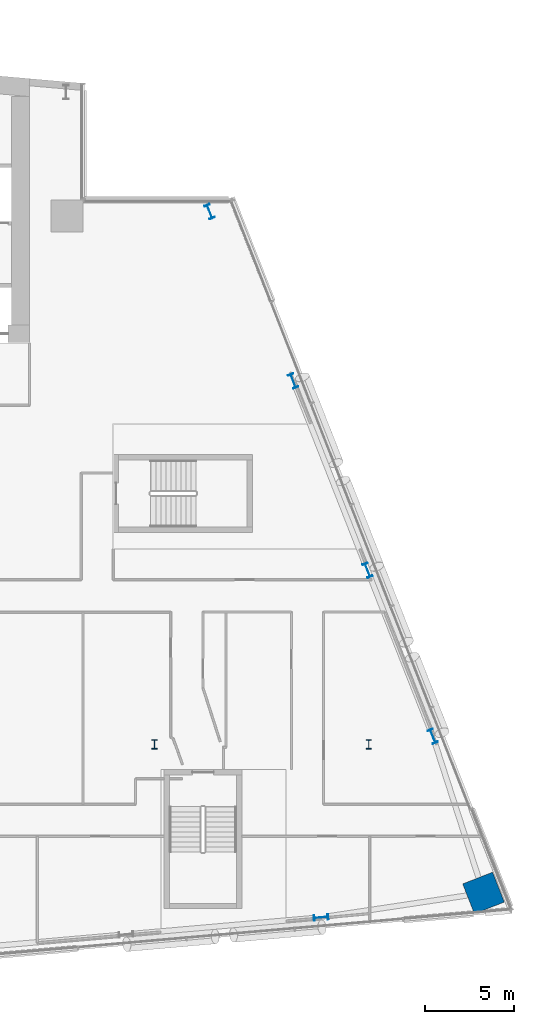
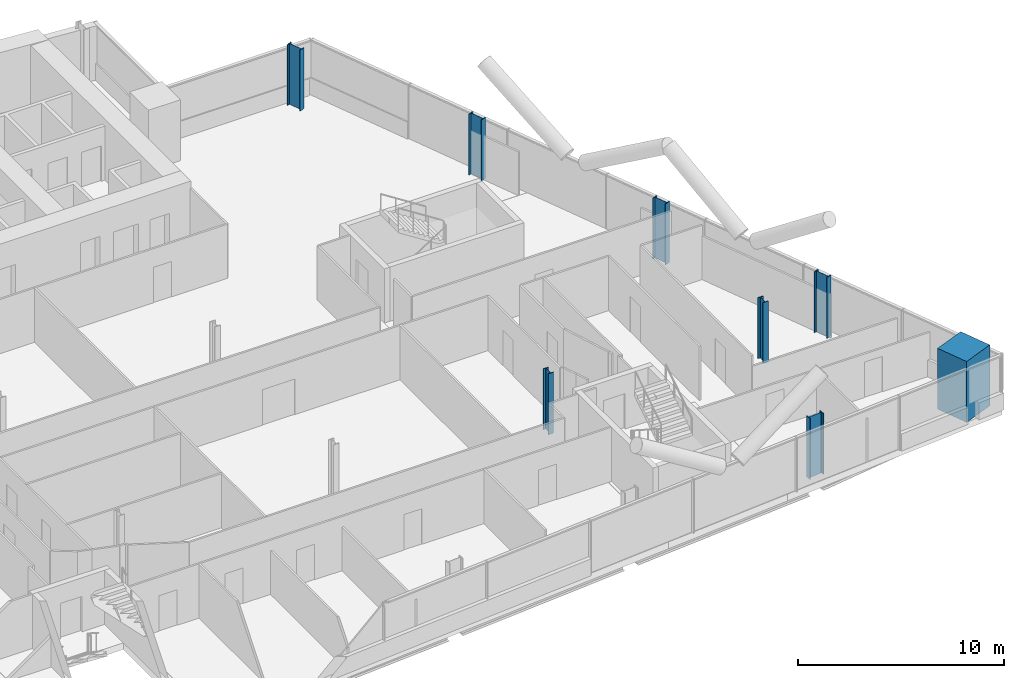
# One storey, part 4 of 28: 8 columns.
"""IFC4 building model written with IfcOpenShell, lengths in metres."""

import ifcopenshell
import ifcopenshell.guid

model = None  # the IFC model being written
_history = None  # IfcOwnerHistory: only IFC2X3 demands one
_inside = {}  # id of a spatial element -> (the spatial element, [elements in it])
_under = {}  # id of a project, library or spatial element -> (it, [spatial elements below it])
_declared = {}  # id of a project -> (the project, [libraries it declares])
_typed = {}  # id of a type object -> (the type object, [elements of that type])
_made_of = {}  # id of a material, layer set ... -> (it, [elements and type objects made of it])


def new_model(schema):
    """Start an empty IFC model of exactly this schema.

    Asked for "IFC4X3", IfcOpenShell would pick the latest addendum, in which some entities
    have other attributes; the version numbers below select the first issue.
    IFC2X3 requires an IfcOwnerHistory on every rooted entity: one is made here for all.
    """
    global model, _history
    if schema == "IFC4X3":
        model = ifcopenshell.file(schema_version=(4, 3, 0, 0))
    else:
        model = ifcopenshell.file(schema=schema)
    _inside.clear()
    _under.clear()
    _declared.clear()
    _typed.clear()
    _made_of.clear()
    _history = None
    if model.schema == "IFC2X3":
        org = make("IfcOrganization", Name="unknown")
        user = make(
            "IfcPersonAndOrganization",
            ThePerson=make("IfcPerson", FamilyName="unknown"),
            TheOrganization=org,
        )
        app = make(
            "IfcApplication",
            ApplicationDeveloper=org,
            Version="unknown",
            ApplicationFullName="unknown",
            ApplicationIdentifier="unknown",
        )
        _history = make(
            "IfcOwnerHistory",
            OwningUser=user,
            OwningApplication=app,
            ChangeAction="ADDED",
            CreationDate=0,
        )
    return model


def make(cls, **values):
    """One entity of the class cls with the attributes given. An attribute that is None is left unset."""
    return model.create_entity(
        cls, **{name: value for name, value in values.items() if value is not None}
    )


def rooted(cls, **values):
    """An entity with a GlobalId (a new one), such as an element, a storey or a relation."""
    return make(cls, GlobalId=ifcopenshell.guid.new(), OwnerHistory=_history, **values)


def si_unit(unit_type, name, prefix=None):
    """IfcSIUnit, for example si_unit("LENGTHUNIT", "METRE", prefix="MILLI")."""
    return make("IfcSIUnit", UnitType=unit_type, Prefix=prefix, Name=name)


def assignment(units):
    """IfcUnitAssignment: the units of a project."""
    return None if units is None else make("IfcUnitAssignment", Units=units)


def point(xyz):
    """IfcCartesianPoint."""
    return None if xyz is None else make("IfcCartesianPoint", Coordinates=xyz)


def direction(xyz):
    """IfcDirection."""
    return None if xyz is None else make("IfcDirection", DirectionRatios=xyz)


def frame(location, z_axis=None, x_axis=None):
    """IfcAxis2Placement3D, a coordinate frame: its origin and axes. An axis left out is left unset."""
    return make(
        "IfcAxis2Placement3D",
        Location=point(location),
        Axis=direction(z_axis),
        RefDirection=direction(x_axis),
    )


def frame_2d(location, x_axis=None):
    """IfcAxis2Placement2D, a coordinate frame in the plane: its origin and x axis."""
    return make(
        "IfcAxis2Placement2D", Location=point(location), RefDirection=direction(x_axis)
    )


def origin():
    """The frame at (0, 0, 0) with its axes left unset."""
    return frame((0.0, 0.0, 0.0))


def origin_2d():
    """The frame at (0, 0) in the plane with its x axis left unset."""
    return frame_2d((0.0, 0.0))


def place(relative_to, where):
    """IfcLocalPlacement: puts the frame where relative to a parent placement (None: the world)."""
    return make(
        "IfcLocalPlacement", PlacementRelTo=relative_to, RelativePlacement=where
    )


def context(
    kind, dimensions, precision=None, world=None, true_north=None, identifier=None
):
    """IfcGeometricRepresentationContext, for example the 3D "Model" context."""
    return make(
        "IfcGeometricRepresentationContext",
        ContextIdentifier=identifier,
        ContextType=kind,
        CoordinateSpaceDimension=dimensions,
        Precision=precision,
        WorldCoordinateSystem=world,
        TrueNorth=true_north,
    )


def subcontext(parent, identifier, kind, view, scale=None):
    """IfcGeometricRepresentationSubContext, for example "Body" below "Model"."""
    return make(
        "IfcGeometricRepresentationSubContext",
        ContextIdentifier=identifier,
        ContextType=kind,
        ParentContext=parent,
        TargetScale=scale,
        TargetView=view,
    )


def project(units=None, contexts=None):
    """IfcProject with its units and contexts."""
    return rooted(
        "IfcProject",
        Name="project",
        RepresentationContexts=contexts,
        UnitsInContext=assignment(units),
    )


def spatial(cls, under=None, at=None, **own):
    """A site, building, storey or space (cls), placed at a placement, below another one or the project."""
    s = rooted(cls, ObjectPlacement=at, **own)
    if under is not None:
        _under.setdefault(under.id(), (under, []))[1].append(s)
    return s


def profile(cls, at=None, kind="AREA", **sizes):
    """A parametric profile (cls). Its sizes go by their IFC names, for example OverallWidth=200.0."""
    return make(cls, ProfileType=kind, Position=at, **sizes)


def rectangle(**sizes):
    """IfcRectangleProfileDef."""
    return profile("IfcRectangleProfileDef", **sizes)


def i_section(**sizes):
    """IfcIShapeProfileDef."""
    return profile("IfcIShapeProfileDef", **sizes)


def extrude(swept, where, along, depth):
    """IfcExtrudedAreaSolid: the profile swept, set in the frame where, extruded along a direction by depth."""
    return make(
        "IfcExtrudedAreaSolid",
        SweptArea=swept,
        Position=where,
        ExtrudedDirection=direction(along),
        Depth=depth,
    )


def shape(context_of_items, identifier, shape_type, items):
    """IfcShapeRepresentation: the items that make up one representation, for example the "Body"."""
    return make(
        "IfcShapeRepresentation",
        ContextOfItems=context_of_items,
        RepresentationIdentifier=identifier,
        RepresentationType=shape_type,
        Items=items,
    )


def material(Name=None, Category=None):
    """IfcMaterial."""
    return make("IfcMaterial", Name=Name, Category=Category)


def material_profile(
    of_material, cross_section, Name=None, Category=None, Priority=None
):
    """IfcMaterialProfile: a cross section and its material."""
    return make(
        "IfcMaterialProfile",
        Name=Name,
        Material=of_material,
        Profile=cross_section,
        Priority=Priority,
        Category=Category,
    )


def profile_set(profiles, Name=None, composite=None):
    """IfcMaterialProfileSet."""
    return make(
        "IfcMaterialProfileSet",
        Name=Name,
        MaterialProfiles=profiles,
        CompositeProfile=composite,
    )


def made_of(thing, what):
    """Note that an element or type object is made of a material, layer set ...; save() writes the relation."""
    if what is not None:
        _made_of.setdefault(what.id(), (what, []))[1].append(thing)
    return thing


def type_object(cls, material=None, **own):
    """A type object (cls), such as IfcWallType, which elements share."""
    return made_of(rooted(cls, **own), material)


def element(
    cls,
    number,
    at=None,
    inside=None,
    cuts=None,
    type_object=None,
    material=None,
    context=None,
    identifier="Body",
    shape_type=None,
    held_by="IfcProductDefinitionShape",
    body=None,
    shapes=None,
    **own,
):
    """One element of the class cls, such as IfcWall. Its Tag is "e" and its number.

    at: its placement. inside: the storey or other place that contains it. cuts: it is an
    opening in that element (IfcRelVoidsElement). A single representation is given by context,
    identifier, shape_type and body (its items); several are given by shapes. held_by: the class
    of the entity that holds the representations. save() writes the other relations.
    """
    e = rooted(cls, Tag="e%d" % number, ObjectPlacement=at, **own)
    if body is not None:
        shapes = [shape(context, identifier, shape_type, body)]
    if shapes is not None:
        e.Representation = make(held_by, Representations=shapes)
    if inside is not None:
        _inside.setdefault(inside.id(), (inside, []))[1].append(e)
    if cuts is not None:
        rooted(
            "IfcRelVoidsElement", RelatingBuildingElement=cuts, RelatedOpeningElement=e
        )
    if type_object is not None:
        _typed.setdefault(type_object.id(), (type_object, []))[1].append(e)
    return made_of(e, material)


def aggregate(whole, parts):
    """IfcRelAggregates: a whole, such as a stair, and the parts it consists of."""
    return rooted("IfcRelAggregates", RelatingObject=whole, RelatedObjects=parts)


def save(model, path):
    """Write the relations noted so far, then the file.

    IfcRelAggregates (storeys below a building ...), IfcRelContainedInSpatialStructure (elements
    in a storey), IfcRelDefinesByType, IfcRelAssociatesMaterial and IfcRelDeclares: one each for
    every whole, place, type object, material and project.
    """
    for whole, parts in _under.values():
        aggregate(whole, parts)
    for where, things in _inside.values():
        rooted(
            "IfcRelContainedInSpatialStructure",
            RelatedElements=things,
            RelatingStructure=where,
        )
    for kind, things in _typed.values():
        rooted("IfcRelDefinesByType", RelatedObjects=things, RelatingType=kind)
    for what, things in _made_of.values():
        rooted("IfcRelAssociatesMaterial", RelatedObjects=things, RelatingMaterial=what)
    for by, libraries in _declared.values():
        rooted("IfcRelDeclares", RelatingContext=by, RelatedDefinitions=libraries)
    model.write(path)


model = new_model("IFC4")

# Units and contexts
model_context = context("Model", 3, precision=1e-05, world=origin(), true_north=direction((0.0, 1.0)))
body_context = subcontext(model_context, "Body", "Model", "MODEL_VIEW")
ifc_project = project(units=[si_unit("LENGTHUNIT", "METRE"), si_unit("AREAUNIT", "SQUARE_METRE"), si_unit("VOLUMEUNIT", "CUBIC_METRE"), si_unit("PLANEANGLEUNIT", "RADIAN"), si_unit("MASSUNIT", "GRAM", prefix="KILO")], contexts=[model_context])

# Site, building, storey
site_placement = place(None, origin())
site = spatial("IfcSite", under=ifc_project, at=site_placement, CompositionType="ELEMENT")
building_placement = place(site_placement, origin())
building = spatial("IfcBuilding", under=site, at=building_placement, Name="Wharfspan Tower", CompositionType="ELEMENT")
storey_placement = place(building_placement, frame((0.0, 0.0, 132.699951)))
storey = spatial("IfcBuildingStorey", under=building, at=storey_placement, Name="L31", CompositionType="ELEMENT", Elevation=132.699951)

# Columns
ifc_material_1 = material(Name="Steel S355J2", Category="steel")
ifc_material_profile_1 = material_profile(ifc_material_1, i_section(OverallWidth=0.305908, OverallDepth=0.523926, WebThickness=0.020996, FlangeThickness=0.040039, FilletRadius=0.0271, at=origin_2d()))
ifc_profile_set_1 = profile_set([ifc_material_profile_1], Name="Steel S355J2")
column_type_1 = type_object("IfcColumnType", Name="Column HEM 500", PredefinedType="COLUMN", material=ifc_profile_set_1)
for number, where, z_axis, x_axis, name in (
    (1, (72.0, 11.5, 0.0), (0.0, 0.0, 1.0), (1.0, 0.0, 0.0), "Interior column I.1.6 L31"),
    (2, (84.0, 11.5, 0.0), (0.0, 0.0, 1.0), (1.0, 0.0, 0.0), "Interior column I.1.7 L31"),
):
    element("IfcColumn", number, at=place(storey_placement, frame(where, z_axis=z_axis, x_axis=x_axis)), inside=storey, type_object=column_type_1, Name=name, PredefinedType="COLUMN", context=body_context, shape_type="SweptSolid", body=[
        extrude(i_section(OverallWidth=0.305908, OverallDepth=0.523926, WebThickness=0.020996, FlangeThickness=0.040039, FilletRadius=0.0271, at=origin_2d()), origin(), (0.0, 0.0, 1.0), 3.600098),
    ])
ifc_material_profile_2 = material_profile(ifc_material_1, i_section(OverallWidth=0.302979, OverallDepth=0.813965, WebThickness=0.020996, FlangeThickness=0.040039, FilletRadius=0.030029, at=origin_2d()))
ifc_profile_set_2 = profile_set([ifc_material_profile_2], Name="Steel S355J2")
column_type_2 = type_object("IfcColumnType", Name="Column HEM 800", PredefinedType="COLUMN", material=ifc_profile_set_2)
for number, where, z_axis, x_axis, name in (
    (3, (81.327881, 1.80835, 0.0), (0.0, 0.0, 1.0), (0.087156, -0.996198, 0.0), "Perimeter column PS2.3 L31"),
    (4, (87.586914, 11.952393, 0.0), (0.0, 0.0, 1.0), (0.930702, 0.365778, 0.0), "Perimeter column PE.1 L31"),
    (5, (83.932617, 21.250977, 0.0), (0.0, 0.0, 1.0), (0.930702, 0.365778, 0.0), "Perimeter column PE.2 L31"),
    (6, (79.765869, 31.852539, 0.0), (0.0, 0.0, 1.0), (0.930702, 0.365778, 0.0), "Perimeter column PE.3 L31"),
    (7, (75.084961, 41.337646, 0.0), (0.0, 0.0, 1.0), (0.930702, 0.365778, 0.0), "Perimeter column PE.4 L31"),
):
    element("IfcColumn", number, at=place(storey_placement, frame(where, z_axis=z_axis, x_axis=x_axis)), inside=storey, type_object=column_type_2, Name=name, PredefinedType="COLUMN", context=body_context, shape_type="SweptSolid", body=[
        extrude(i_section(OverallWidth=0.302979, OverallDepth=0.813965, WebThickness=0.020996, FlangeThickness=0.040039, FilletRadius=0.030029, at=origin_2d()), origin(), (0.0, 0.0, 1.0), 3.600098),
    ])
ifc_material_2 = material(Name="Concrete C70/85", Category="concrete")
ifc_material_profile_3 = material_profile(ifc_material_2, rectangle(XDim=1.800049, YDim=1.800049, at=origin_2d()))
ifc_profile_set_3 = profile_set([ifc_material_profile_3], Name="Concrete C70/85")
column_type_3 = type_object("IfcColumnType", Name="Mega column 1800 C70/85", PredefinedType="COLUMN", material=ifc_profile_set_3)
column_placement = place(storey_placement, frame((90.427246, 3.174072, 0.0), z_axis=(0.0, 0.0, 1.0), x_axis=(-0.365778, 0.930702, 0.0)))
element("IfcColumn", 8, at=column_placement, inside=storey, type_object=column_type_3, Name="Mega column MC4 L31", PredefinedType="COLUMN", context=body_context, shape_type="SweptSolid", body=[
    extrude(rectangle(XDim=1.800049, YDim=1.800049, at=origin_2d()), origin(), (0.0, 0.0, 1.0), 3.600098),
])

save(model, "model.ifc")
